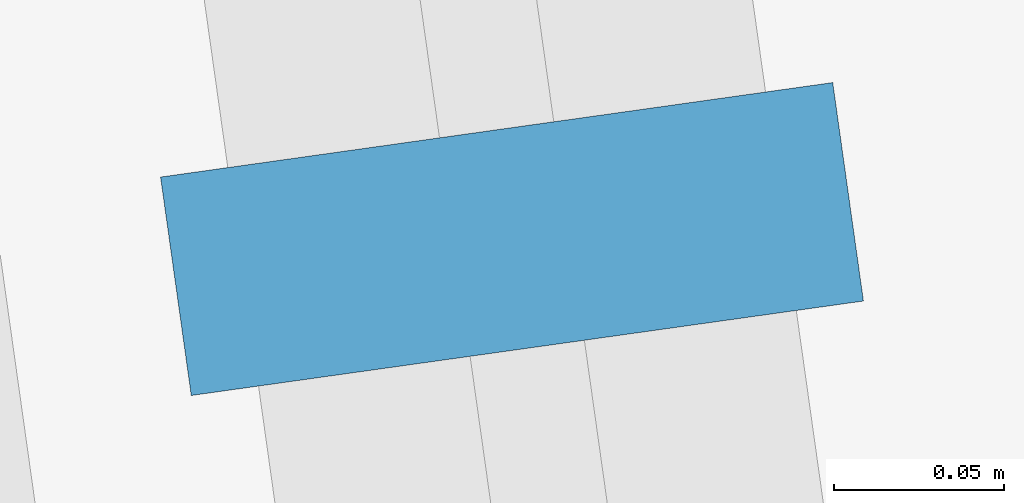
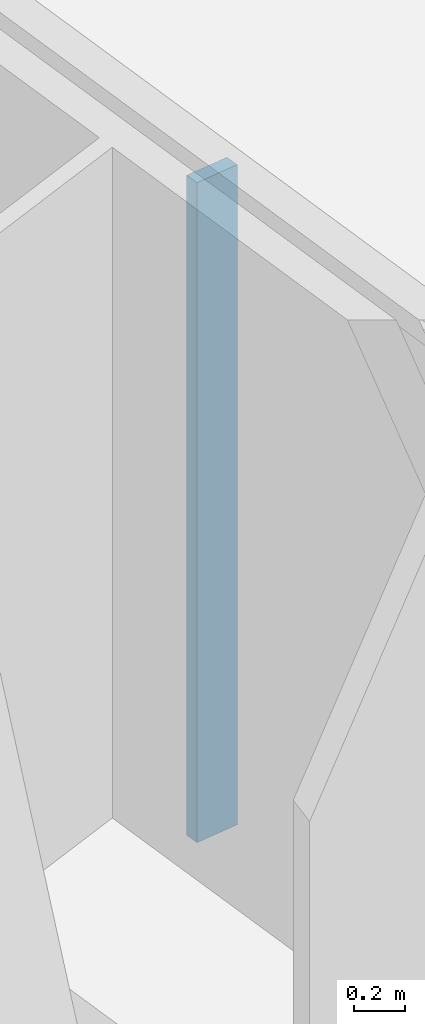
# One storey, part 17 of 41: 1 member, 1 element without a shape of its own.
"""IFC4 building model written with IfcOpenShell, lengths in metres."""

from ifc_helpers import new_model, si_unit, direction, frame, origin, origin_2d, place, context, subcontext, project, spatial, rectangle, extrude, material, material_profile, profile_set, type_object, element, aggregate, save


model = new_model("IFC4")

# Units and contexts
model_context = context("Model", 3, precision=1e-05, world=origin(), true_north=direction((0.0, 1.0)))
body_context = subcontext(model_context, "Body", "Model", "MODEL_VIEW")
ifc_project = project(units=[si_unit("LENGTHUNIT", "METRE"), si_unit("AREAUNIT", "SQUARE_METRE"), si_unit("VOLUMEUNIT", "CUBIC_METRE"), si_unit("PLANEANGLEUNIT", "RADIAN"), si_unit("MASSUNIT", "GRAM", prefix="KILO")], contexts=[model_context])

# Site, building, storey
site_placement = place(None, origin())
site = spatial("IfcSite", under=ifc_project, at=site_placement, CompositionType="ELEMENT")
building_placement = place(site_placement, origin())
building = spatial("IfcBuilding", under=site, at=building_placement, Name="Mirante Cascada Hotel Towers", CompositionType="ELEMENT")
storey_placement = place(building_placement, frame((0.0, 0.0, 125.3)))
storey = spatial("IfcBuildingStorey", under=building, at=storey_placement, Name="L28", CompositionType="ELEMENT", Elevation=125.3)

# Curtain wall, member
ifc_material_1 = material(Name="Aluminium mullion and transom frame with clear laminated glass", Category="aluminium")
curtain_wall_type = type_object("IfcCurtainWallType", Name="End ribbon curtain wall ECW2", PredefinedType="NOTDEFINED", material=ifc_material_1)
curtain_wall_placement = place(storey_placement, origin())
curtain_wall = element("IfcCurtainWall", 1, at=curtain_wall_placement, inside=storey, type_object=curtain_wall_type, Name="Inner end wall T2 L28", PredefinedType="NOTDEFINED")
ifc_material_2 = material(Name="Anodised aluminium extrusion", Category="aluminium")
ifc_material_profile = material_profile(ifc_material_2, rectangle(XDim=0.2, YDim=0.065, at=origin_2d()), Name="ECW2 MULLION 65x200")
ifc_profile_set = profile_set([ifc_material_profile], Name="Anodised aluminium extrusion")
member_type = type_object("IfcMemberType", Name="ECW2 mullion 65x200", PredefinedType="MULLION", material=ifc_profile_set)
member_placement = place(storey_placement, frame((31.4881, -11.5107, 0.1), z_axis=(0.0, 0.0, 1.0), x_axis=(0.9902681, 0.1391731, 0.0)))
member = element("IfcMember", 2, at=member_placement, type_object=member_type, Name="ECW2 mullion 6", PredefinedType="MULLION", context=body_context, shape_type="SweptSolid", body=[
    extrude(rectangle(XDim=0.2, YDim=0.065, at=origin_2d()), origin(), (0.0, 0.0, 1.0), 3.15),
])
aggregate(curtain_wall, [member])

save(model, "model.ifc")
